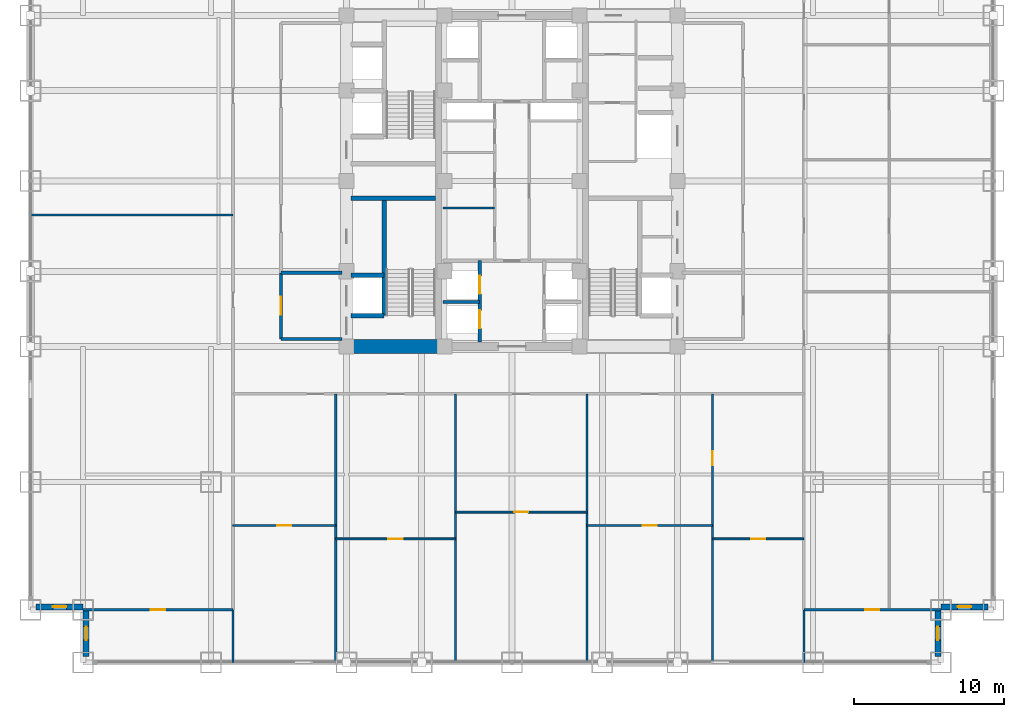
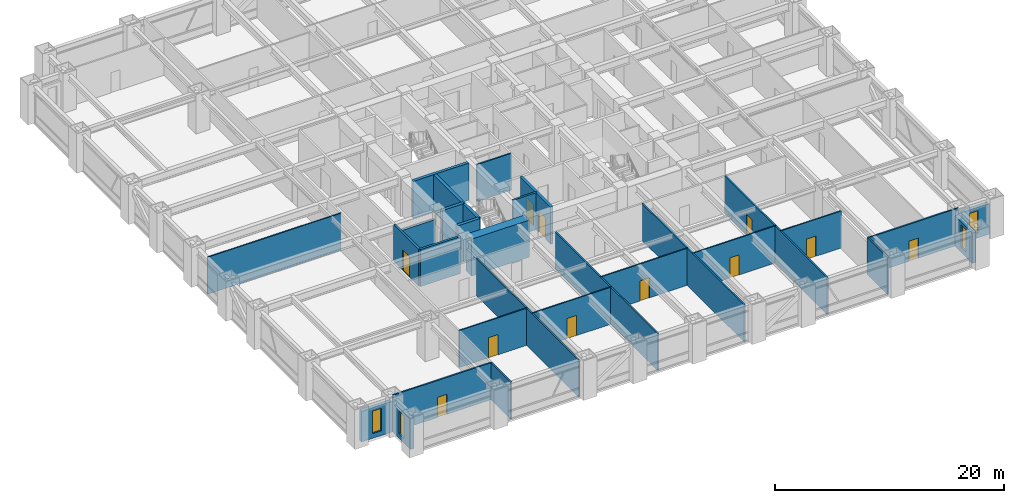
# One storey, part 23 of 28: 29 walls, 11 doors, 4 windows, 15 openings.
"""IFC4 building model written with IfcOpenShell, lengths in metres."""

from ifc_helpers import new_model, si_unit, direction, frame, frame_2d, origin, place, context, subcontext, project, spatial, rectangle, extrude, source, transform, mapped, material, layer, layer_set, type_object, element, fill, save


model = new_model("IFC4")

# Units and contexts
model_context = context("Model", 3, precision=1e-05, world=origin(), true_north=direction((0.0, 1.0)))
body_context = subcontext(model_context, "Body", "Model", "MODEL_VIEW")
ifc_project = project(units=[si_unit("LENGTHUNIT", "METRE"), si_unit("AREAUNIT", "SQUARE_METRE"), si_unit("VOLUMEUNIT", "CUBIC_METRE"), si_unit("PLANEANGLEUNIT", "RADIAN"), si_unit("MASSUNIT", "GRAM", prefix="KILO")], contexts=[model_context])

# Site, building, storey
site_placement = place(None, origin())
site = spatial("IfcSite", under=ifc_project, at=site_placement, CompositionType="ELEMENT")
building_placement = place(site_placement, origin())
building = spatial("IfcBuilding", under=site, at=building_placement, Name="Khorayat Bourse Tower", CompositionType="ELEMENT")
storey_placement = place(building_placement, frame((0.0, 0.0, 83.0)))
storey = spatial("IfcBuildingStorey", under=building, at=storey_placement, Name="L18", CompositionType="ELEMENT", Elevation=83.0)

# Walls
ifc_material_1 = material(Name="Concrete C72/90", Category="concrete")
ifc_layer_1 = layer(ifc_material_1, 0.89990234375)
ifc_layer_set_1 = layer_set([ifc_layer_1], Name="Concrete C72/90")
wall_type_1 = type_object("IfcWallType", Name="WAL-CORE-900", PredefinedType="SHEAR", material=ifc_layer_set_1)
shared_shape_1 = source(origin(), body_context, "Body", "SweptSolid", [
    extrude(rectangle(XDim=5.849853515625, YDim=0.89990234375, at=frame_2d((2.9248046875, 0.0))), origin(), (0.0, 0.0, 1.0), 3.93994140625),
])
wall_1_placement = place(storey_placement, frame((-10.699951171875, -11.0, 0.0), z_axis=(0.0, 0.0, 1.0), x_axis=(1.0, 0.0, 0.0)))
element("IfcWall", 1, at=wall_1_placement, inside=storey, type_object=wall_type_1, Name="L18 Core Shear Wall PIER-WS", PredefinedType="SHEAR", context=body_context, shape_type="MappedRepresentation", body=[
    mapped(shared_shape_1, transform((0.0, 0.0, 0.0), scale=1.0)),
])
ifc_material_2 = material(Name="Concrete C50/60", Category="concrete")
ifc_layer_2 = layer(ifc_material_2, 0.300048828125)
ifc_layer_set_2 = layer_set([ifc_layer_2], Name="Concrete C50/60")
wall_type_2 = type_object("IfcWallType", Name="WAL-SHAFT-300", PredefinedType="SHEAR", material=ifc_layer_set_2)
shared_shape_2 = source(origin(), body_context, "Body", "SweptSolid", [
    extrude(rectangle(XDim=5.599853515625, YDim=0.300048828125, at=frame_2d((2.7998046875, 0.0))), origin(), (0.0, 0.0, 1.0), 3.93994140625),
])
wall_2_placement = place(storey_placement, frame((-10.699951171875, -1.14990234375, 0.0), z_axis=(0.0, 0.0, 1.0), x_axis=(1.0, 0.0, 0.0)))
element("IfcWall", 2, at=wall_2_placement, inside=storey, type_object=wall_type_2, Name="L18 Core Shear Wall ST1-DIV", PredefinedType="SHEAR", context=body_context, shape_type="MappedRepresentation", body=[
    mapped(shared_shape_2, transform((0.0, 0.0, 0.0), scale=1.0)),
])

# Wall, opening, window
ifc_material_3 = material(Name="Precast concrete C45/55", Category="concrete")
ifc_layer_3 = layer(ifc_material_3, 0.3798828125)
ifc_layer_set_3 = layer_set([ifc_layer_3], Name="Precast concrete C45/55")
wall_type_3 = type_object("IfcWallType", Name="WAL-EXT-STONE-380", PredefinedType="STANDARD", material=ifc_layer_set_3)
shared_shape_3 = source(origin(), body_context, "Body", "SweptSolid", [
    extrude(rectangle(XDim=3.1201171875, YDim=0.3798828125, at=frame_2d((1.56005859375, 0.0))), origin(), (0.0, 0.0, 1.0), 3.2451171875),
])
wall_3_placement = place(storey_placement, frame((-28.5, -28.31005859375, 0.0), z_axis=(0.0, 0.0, 1.0), x_axis=(-1.0, 0.0, 0.0)))
wall_3 = element("IfcWall", 3, at=wall_3_placement, inside=storey, type_object=wall_type_3, Name="L18 Re-Entrant Notch Limestone Wall SW-H", PredefinedType="STANDARD", context=body_context, shape_type="MappedRepresentation", body=[
    mapped(shared_shape_3, transform((0.0, 0.0, 0.0), scale=1.0)),
])
shared_shape_4 = source(origin(), body_context, "Body", "SweptSolid", [
    extrude(rectangle(XDim=0.89990234375, YDim=2.39990234375, at=frame_2d((0.449951171875, 1.199951171875))), frame((0.0, 0.199951171875, 0.0), z_axis=(0.0, -1.0, 0.0), x_axis=(1.0, 0.0, 0.0)), (0.0, 0.0, 1.0), 0.39990234375),
])
opening_1_placement = place(wall_3_placement, frame((1.110107421875, 0.0, 0.5)))
opening_1 = element("IfcOpeningElement", 4, at=opening_1_placement, cuts=wall_3, Name="Opening WN-03", PredefinedType="OPENING", context=body_context, shape_type="MappedRepresentation", body=[
    mapped(shared_shape_4, transform((0.0, 0.0, 0.0), scale=1.0)),
])
ifc_material_4 = material(Name="Deep-reveal solar-control double glazing", Category="glass")
window_type = type_object("IfcWindowType", Name="WIN-SLOT-900x2400", PartitioningType="SINGLE_PANEL", PredefinedType="WINDOW", material=ifc_material_4)
shared_shape_5 = source(origin(), body_context, "Body", "SweptSolid", [
    extrude(rectangle(XDim=0.89990234375, YDim=2.39990234375, at=frame_2d((0.449951171875, 1.199951171875))), frame((0.0, 0.030029296875, 0.0), z_axis=(0.0, -1.0, 0.0), x_axis=(1.0, 0.0, 0.0)), (0.0, 0.0, 1.0), 0.06005859375),
])
window_1_placement = place(opening_1_placement, origin())
window_1 = element("IfcWindow", 5, at=window_1_placement, inside=storey, type_object=window_type, Name="L18 Facade Window 1", OverallHeight=2.39990234375, OverallWidth=0.89990234375, PartitioningType="SINGLE_PANEL", PredefinedType="WINDOW", context=body_context, shape_type="MappedRepresentation", body=[
    mapped(shared_shape_5, transform((0.0, 0.0, 0.0), scale=1.0)),
])
fill(opening_1, window_1)

wall_4_placement = place(storey_placement, frame((-28.31005859375, -31.6201171875, 0.0), z_axis=(0.0, 0.0, 1.0), x_axis=(0.0, 1.0, 0.0)))
wall_4 = element("IfcWall", 6, at=wall_4_placement, inside=storey, type_object=wall_type_3, Name="L18 Re-Entrant Notch Limestone Wall SW-V", PredefinedType="STANDARD", context=body_context, shape_type="MappedRepresentation", body=[
    mapped(shared_shape_3, transform((0.0, 0.0, 0.0), scale=1.0)),
])
opening_2_placement = place(wall_4_placement, frame((1.110107421875, 0.0, 0.5)))
opening_2 = element("IfcOpeningElement", 7, at=opening_2_placement, cuts=wall_4, Name="Opening WN-03", PredefinedType="OPENING", context=body_context, shape_type="MappedRepresentation", body=[
    mapped(shared_shape_4, transform((0.0, 0.0, 0.0), scale=1.0)),
])
window_2_placement = place(opening_2_placement, origin())
window_2 = element("IfcWindow", 8, at=window_2_placement, inside=storey, type_object=window_type, Name="L18 Facade Window 1", OverallHeight=2.39990234375, OverallWidth=0.89990234375, PartitioningType="SINGLE_PANEL", PredefinedType="WINDOW", context=body_context, shape_type="MappedRepresentation", body=[
    mapped(shared_shape_5, transform((0.0, 0.0, 0.0), scale=1.0)),
])
fill(opening_2, window_2)

wall_5_placement = place(storey_placement, frame((28.31005859375, -31.6201171875, 0.0), z_axis=(0.0, 0.0, 1.0), x_axis=(0.0, 1.0, 0.0)))
wall_5 = element("IfcWall", 9, at=wall_5_placement, inside=storey, type_object=wall_type_3, Name="L18 Re-Entrant Notch Limestone Wall SE-V", PredefinedType="STANDARD", context=body_context, shape_type="MappedRepresentation", body=[
    mapped(shared_shape_3, transform((0.0, 0.0, 0.0), scale=1.0)),
])
opening_3_placement = place(wall_5_placement, frame((1.110107421875, 0.0, 0.5)))
opening_3 = element("IfcOpeningElement", 10, at=opening_3_placement, cuts=wall_5, Name="Opening WN-03", PredefinedType="OPENING", context=body_context, shape_type="MappedRepresentation", body=[
    mapped(shared_shape_4, transform((0.0, 0.0, 0.0), scale=1.0)),
])
window_3_placement = place(opening_3_placement, origin())
window_3 = element("IfcWindow", 11, at=window_3_placement, inside=storey, type_object=window_type, Name="L18 Facade Window 1", OverallHeight=2.39990234375, OverallWidth=0.89990234375, PartitioningType="SINGLE_PANEL", PredefinedType="WINDOW", context=body_context, shape_type="MappedRepresentation", body=[
    mapped(shared_shape_5, transform((0.0, 0.0, 0.0), scale=1.0)),
])
fill(opening_3, window_3)

wall_6_placement = place(storey_placement, frame((28.5, -28.31005859375, 0.0), z_axis=(0.0, 0.0, 1.0), x_axis=(1.0, 0.0, 0.0)))
wall_6 = element("IfcWall", 12, at=wall_6_placement, inside=storey, type_object=wall_type_3, Name="L18 Re-Entrant Notch Limestone Wall SE-H", PredefinedType="STANDARD", context=body_context, shape_type="MappedRepresentation", body=[
    mapped(shared_shape_3, transform((0.0, 0.0, 0.0), scale=1.0)),
])
opening_4_placement = place(wall_6_placement, frame((1.110107421875, 0.0, 0.5)))
opening_4 = element("IfcOpeningElement", 13, at=opening_4_placement, cuts=wall_6, Name="Opening WN-03", PredefinedType="OPENING", context=body_context, shape_type="MappedRepresentation", body=[
    mapped(shared_shape_4, transform((0.0, 0.0, 0.0), scale=1.0)),
])
window_4_placement = place(opening_4_placement, origin())
window_4 = element("IfcWindow", 14, at=window_4_placement, inside=storey, type_object=window_type, Name="L18 Facade Window 1", OverallHeight=2.39990234375, OverallWidth=0.89990234375, PartitioningType="SINGLE_PANEL", PredefinedType="WINDOW", context=body_context, shape_type="MappedRepresentation", body=[
    mapped(shared_shape_5, transform((0.0, 0.0, 0.0), scale=1.0)),
])
fill(opening_4, window_4)

# Walls
shared_shape_6 = source(origin(), body_context, "Body", "SweptSolid", [
    extrude(rectangle(XDim=7.800048828125, YDim=0.300048828125, at=frame_2d((3.89990234375, 0.0))), origin(), (0.0, 0.0, 1.0), 3.93994140625),
])
wall_7_placement = place(storey_placement, frame((-8.5, -8.949951171875, 0.0), z_axis=(0.0, 0.0, 1.0), x_axis=(0.0, 1.0, 0.0)))
element("IfcWall", 15, at=wall_7_placement, inside=storey, type_object=wall_type_2, Name="L18 Partition WAL-L18-WPIER-SP", PredefinedType="SHEAR", context=body_context, shape_type="MappedRepresentation", body=[
    mapped(shared_shape_6, transform((0.0, 0.0, 0.0), scale=1.0)),
])
shared_shape_7 = source(origin(), body_context, "Body", "SweptSolid", [
    extrude(rectangle(XDim=2.199951171875, YDim=0.300048828125, at=frame_2d((1.10009765625, 0.0))), origin(), (0.0, 0.0, 1.0), 3.93994140625),
])
for number, where, z_axis, x_axis, name in (
    (16, (-10.699951171875, -8.949951171875, 0.0), (0.0, 0.0, 1.0), (1.0, 0.0, 0.0), "L18 Partition WAL-L18-WPIER-FF1S"),
    (17, (-10.699951171875, -6.25, 0.0), (0.0, 0.0, 1.0), (1.0, 0.0, 0.0), "L18 Partition WAL-L18-WPIER-FF1N"),
):
    element("IfcWall", number, at=place(storey_placement, frame(where, z_axis=z_axis, x_axis=x_axis)), inside=storey, type_object=wall_type_2, Name=name, PredefinedType="SHEAR", context=body_context, shape_type="MappedRepresentation", body=[
        mapped(shared_shape_7, transform((0.0, 0.0, 0.0), scale=1.0)),
    ])
ifc_material_5 = material(Name="Aerated concrete blockwork", Category="masonry")
ifc_layer_4 = layer(ifc_material_5, 0.219970703125)
ifc_layer_set_4 = layer_set([ifc_layer_4], Name="Aerated concrete blockwork")
wall_type_4 = type_object("IfcWallType", Name="WAL-PART-FF-220", PredefinedType="PARTITIONING", material=ifc_layer_set_4)
shared_shape_8 = source(origin(), body_context, "Body", "SweptSolid", [
    extrude(rectangle(XDim=4.050048828125, YDim=0.219970703125, at=frame_2d((2.02490234375, 0.0))), origin(), (0.0, 0.0, 1.0), 3.93994140625),
])
wall_8_placement = place(storey_placement, frame((-15.35009765625, -10.5, 0.0), z_axis=(0.0, 0.0, 1.0), x_axis=(1.0, 0.0, 0.0)))
element("IfcWall", 18, at=wall_8_placement, inside=storey, type_object=wall_type_4, Name="L18 Partition WAL-L18-FFLW-S", PredefinedType="PARTITIONING", context=body_context, shape_type="MappedRepresentation", body=[
    mapped(shared_shape_8, transform((0.0, 0.0, 0.0), scale=1.0)),
])
shared_shape_9 = source(origin(), body_context, "Body", "SweptSolid", [
    extrude(rectangle(XDim=4.050048828125, YDim=0.219970703125, at=frame_2d((2.02490234375, 0.0))), origin(), (0.0, 0.0, 1.0), 3.0849609375),
])
wall_9_placement = place(storey_placement, frame((-15.35009765625, -6.10009765625, 0.0), z_axis=(0.0, 0.0, 1.0), x_axis=(1.0, 0.0, 0.0)))
element("IfcWall", 19, at=wall_9_placement, inside=storey, type_object=wall_type_4, Name="L18 Partition WAL-L18-FFLW-N", PredefinedType="PARTITIONING", context=body_context, shape_type="MappedRepresentation", body=[
    mapped(shared_shape_9, transform((0.0, 0.0, 0.0), scale=1.0)),
])

# Wall, opening, door
shared_shape_10 = source(origin(), body_context, "Body", "SweptSolid", [
    extrude(rectangle(XDim=4.39990234375, YDim=0.219970703125, at=frame_2d((2.199951171875, 0.0))), origin(), (0.0, 0.0, 1.0), 3.93994140625),
])
wall_10_placement = place(storey_placement, frame((-15.35009765625, -10.5, 0.0), z_axis=(0.0, 0.0, 1.0), x_axis=(0.0, 1.0, 0.0)))
wall_10 = element("IfcWall", 20, at=wall_10_placement, inside=storey, type_object=wall_type_4, Name="L18 Partition WAL-L18-FFLW-W", PredefinedType="PARTITIONING", context=body_context, shape_type="MappedRepresentation", body=[
    mapped(shared_shape_10, transform((0.0, 0.0, 0.0), scale=1.0)),
])
shared_shape_11 = source(origin(), body_context, "Body", "SweptSolid", [
    extrude(rectangle(XDim=1.199951171875, YDim=2.199951171875, at=frame_2d((0.60009765625, 1.10009765625))), frame((0.0, 0.119873046875, 0.0), z_axis=(0.0, -1.0, 0.0), x_axis=(1.0, 0.0, 0.0)), (0.0, 0.0, 1.0), 0.239990234375),
])
opening_5_placement = place(wall_10_placement, frame((1.60009765625, 0.0, 0.0)))
opening_5 = element("IfcOpeningElement", 21, at=opening_5_placement, cuts=wall_10, Name="Opening DI-02", PredefinedType="OPENING", context=body_context, shape_type="MappedRepresentation", body=[
    mapped(shared_shape_11, transform((0.0, 0.0, 0.0), scale=1.0)),
])
ifc_material_6 = material(Name="Fire-rated steel double-seal leaf", Category="steel")
door_type_1 = type_object("IfcDoorType", Name="DR-INT-FFLOBBY-1200", OperationType="NOTDEFINED", PredefinedType="DOOR", material=ifc_material_6)
shared_shape_12 = source(origin(), body_context, "Body", "SweptSolid", [
    extrude(rectangle(XDim=1.199951171875, YDim=2.199951171875, at=frame_2d((0.60009765625, 1.10009765625))), frame((0.0, 0.02490234375, 0.0), z_axis=(0.0, -1.0, 0.0), x_axis=(1.0, 0.0, 0.0)), (0.0, 0.0, 1.0), 0.050048828125),
])
door_1_placement = place(opening_5_placement, origin())
door_1 = element("IfcDoor", 22, at=door_1_placement, inside=storey, type_object=door_type_1, Name="L18 West Firefighting Lobby Door", OperationType="SINGLE_SWING_LEFT", OverallHeight=2.199951171875, OverallWidth=1.199951171875, PredefinedType="DOOR", context=body_context, shape_type="MappedRepresentation", body=[
    mapped(shared_shape_12, transform((0.0, 0.0, 0.0), scale=1.0)),
])
fill(opening_5, door_1)

# Wall, openings, doors
shared_shape_13 = source(origin(), body_context, "Body", "SweptSolid", [
    extrude(rectangle(XDim=5.39990234375, YDim=0.25, at=frame_2d((2.699951171875, 0.0))), origin(), (0.0, 0.0, 1.0), 3.93994140625),
])
wall_11_placement = place(storey_placement, frame((-2.14990234375, -10.699951171875, 0.0), z_axis=(0.0, 0.0, 1.0), x_axis=(0.0, 1.0, 0.0)))
wall_11 = element("IfcWall", 23, at=wall_11_placement, inside=storey, type_object=wall_type_2, Name="L18 Partition WAL-L18-B1-W", PredefinedType="SHEAR", context=body_context, shape_type="MappedRepresentation", body=[
    mapped(shared_shape_13, transform((0.0, 0.0, 0.0), scale=1.0)),
])
shared_shape_14 = source(origin(), body_context, "Body", "SweptSolid", [
    extrude(rectangle(XDim=1.199951171875, YDim=2.300048828125, at=frame_2d((0.60009765625, 1.14990234375))), frame((0.0, 0.135009765625, 0.0), z_axis=(0.0, -1.0, 0.0), x_axis=(1.0, 0.0, 0.0)), (0.0, 0.0, 1.0), 0.27001953125),
])
opening_6_placement = place(wall_11_placement, frame((0.89990234375, 0.0, 0.0)))
opening_6 = element("IfcOpeningElement", 24, at=opening_6_placement, cuts=wall_11, Name="Opening LD-01", PredefinedType="OPENING", context=body_context, shape_type="MappedRepresentation", body=[
    mapped(shared_shape_14, transform((0.0, 0.0, 0.0), scale=1.0)),
])
opening_7_placement = place(wall_11_placement, frame((3.199951171875, 0.0, 0.0)))
opening_7 = element("IfcOpeningElement", 25, at=opening_7_placement, cuts=wall_11, Name="Opening LD-01", PredefinedType="OPENING", context=body_context, shape_type="MappedRepresentation", body=[
    mapped(shared_shape_14, transform((0.0, 0.0, 0.0), scale=1.0)),
])
ifc_material_7 = material(Name="Brushed bronze stainless-steel sliding door", Category="steel")
door_type_2 = type_object("IfcDoorType", Name="DR-LIFT-PASS-1200", OperationType="NOTDEFINED", PredefinedType="DOOR", material=ifc_material_7)
shared_shape_15 = source(origin(), body_context, "Body", "SweptSolid", [
    extrude(rectangle(XDim=1.199951171875, YDim=2.300048828125, at=frame_2d((0.60009765625, 1.14990234375))), frame((0.0, 0.02490234375, 0.0), z_axis=(0.0, -1.0, 0.0), x_axis=(1.0, 0.0, 0.0)), (0.0, 0.0, 1.0), 0.050048828125),
])
door_2_placement = place(opening_6_placement, origin())
door_2 = element("IfcDoor", 26, at=door_2_placement, inside=storey, type_object=door_type_2, Name="L18 Lift PL-L1 Sliding Landing Door", OperationType="SLIDING_TO_LEFT", OverallHeight=2.300048828125, OverallWidth=1.199951171875, PredefinedType="DOOR", context=body_context, shape_type="MappedRepresentation", body=[
    mapped(shared_shape_15, transform((0.0, 0.0, 0.0), scale=1.0)),
])
fill(opening_6, door_2)
door_3_placement = place(opening_7_placement, origin())
door_3 = element("IfcDoor", 27, at=door_3_placement, inside=storey, type_object=door_type_2, Name="L18 Lift PL-L3 Sliding Landing Door", OperationType="SLIDING_TO_LEFT", OverallHeight=2.300048828125, OverallWidth=1.199951171875, PredefinedType="DOOR", context=body_context, shape_type="MappedRepresentation", body=[
    mapped(shared_shape_15, transform((0.0, 0.0, 0.0), scale=1.0)),
])
fill(opening_7, door_3)

# Walls
shared_shape_16 = source(origin(), body_context, "Body", "SweptSolid", [
    extrude(rectangle(XDim=2.4501953125, YDim=0.199951171875, at=frame_2d((1.22509765625, 0.0))), origin(), (0.0, 0.0, 1.0), 3.93994140625),
])
wall_12_placement = place(storey_placement, frame((-4.60009765625, -8.050048828125, 0.0), z_axis=(0.0, 0.0, 1.0), x_axis=(1.0, 0.0, 0.0)))
element("IfcWall", 28, at=wall_12_placement, inside=storey, type_object=wall_type_2, Name="L18 Partition WAL-L18-B1-MW", PredefinedType="SHEAR", context=body_context, shape_type="MappedRepresentation", body=[
    mapped(shared_shape_16, transform((0.0, 0.0, 0.0), scale=1.0)),
])
ifc_material_8 = material(Name="Moisture-resistant masonry partition", Category="masonry")
ifc_layer_5 = layer(ifc_material_8, 0.139892578125)
ifc_layer_set_5 = layer_set([ifc_layer_5], Name="Moisture-resistant masonry partition")
wall_type_5 = type_object("IfcWallType", Name="WAL-PART-WET-140", PredefinedType="PARTITIONING", material=ifc_layer_set_5)
shared_shape_17 = source(origin(), body_context, "Body", "SweptSolid", [
    extrude(rectangle(XDim=3.4501953125, YDim=0.139892578125, at=frame_2d((1.72509765625, 0.0))), origin(), (0.0, 0.0, 1.0), 3.93994140625),
])
wall_13_placement = place(storey_placement, frame((-4.60009765625, -1.800048828125, 0.0), z_axis=(0.0, 0.0, 1.0), x_axis=(1.0, 0.0, 0.0)))
element("IfcWall", 29, at=wall_13_placement, inside=storey, type_object=wall_type_5, Name="L18 Partition WAL-L18-CMW-D1", PredefinedType="PARTITIONING", context=body_context, shape_type="MappedRepresentation", body=[
    mapped(shared_shape_17, transform((0.0, 0.0, 0.0), scale=1.0)),
])
ifc_material_9 = material(Name="Gypsum plasterboard twin-frame partition")
ifc_layer_6 = layer(ifc_material_9, 0.14990234375)
ifc_layer_set_6 = layer_set([ifc_layer_6], Name="Gypsum plasterboard twin-frame partition")
wall_type_6 = type_object("IfcWallType", Name="WAL-PART-SUITE-150", PredefinedType="PARTITIONING", material=ifc_layer_set_6)
shared_shape_18 = source(origin(), body_context, "Body", "SweptSolid", [
    extrude(rectangle(XDim=3.5, YDim=0.14990234375, at=frame_2d((1.75, 0.0))), origin(), (0.0, 0.0, 1.0), 3.93994140625),
])
for number, where, z_axis, x_axis, name in (
    (30, (-18.550048828125, -32.0, 0.0), (0.0, 0.0, 1.0), (0.0, 1.0, 0.0), "L18 Partition WAL-L18-SCW-END"),
    (31, (19.39990234375, -32.0, 0.0), (0.0, 0.0, 1.0), (0.0, 1.0, 0.0), "L18 Partition WAL-L18-SCE-END"),
):
    element("IfcWall", number, at=place(storey_placement, frame(where, z_axis=z_axis, x_axis=x_axis)), inside=storey, type_object=wall_type_6, Name=name, PredefinedType="PARTITIONING", context=body_context, shape_type="MappedRepresentation", body=[
        mapped(shared_shape_18, transform((0.0, 0.0, 0.0), scale=1.0)),
    ])
ifc_material_10 = material(Name="Gypsum plasterboard partition")
ifc_layer_7 = layer(ifc_material_10, 0.125)
ifc_layer_set_7 = layer_set([ifc_layer_7], Name="Gypsum plasterboard partition")
wall_type_7 = type_object("IfcWallType", Name="WAL-PART-ROOM-125", PredefinedType="PARTITIONING", material=ifc_layer_set_7)
shared_shape_19 = source(origin(), body_context, "Body", "SweptSolid", [
    extrude(rectangle(XDim=13.449951171875, YDim=0.125, at=frame_2d((6.72509765625, 0.0))), origin(), (0.0, 0.0, 1.0), 3.93994140625),
])
wall_14_placement = place(storey_placement, frame((-32.0, -2.263916015625, 0.0), z_axis=(0.0, 0.0, 1.0), x_axis=(1.0, 0.0, 0.0)))
element("IfcWall", 32, at=wall_14_placement, inside=storey, type_object=wall_type_7, Name="L18 Partition WAL-L18-WDV-1", PredefinedType="PARTITIONING", context=body_context, shape_type="MappedRepresentation", body=[
    mapped(shared_shape_19, transform((0.0, 0.0, 0.0), scale=1.0)),
])

# Wall, opening, door
shared_shape_20 = source(origin(), body_context, "Body", "SweptSolid", [
    extrude(rectangle(XDim=9.949951171875, YDim=0.14990234375, at=frame_2d((4.97509765625, 0.0))), origin(), (0.0, 0.0, 1.0), 3.93994140625),
])
wall_15_placement = place(storey_placement, frame((-28.5, -28.5, 0.0), z_axis=(0.0, 0.0, 1.0), x_axis=(1.0, 0.0, 0.0)))
wall_15 = element("IfcWall", 33, at=wall_15_placement, inside=storey, type_object=wall_type_6, Name="L18 Partition WAL-L18-CSW", PredefinedType="PARTITIONING", context=body_context, shape_type="MappedRepresentation", body=[
    mapped(shared_shape_20, transform((0.0, 0.0, 0.0), scale=1.0)),
])
shared_shape_21 = source(origin(), body_context, "Body", "SweptSolid", [
    extrude(rectangle(XDim=0.949951171875, YDim=2.14990234375, at=frame_2d((0.47509765625, 1.074951171875))), frame((0.0, 0.0849609375, 0.0), z_axis=(0.0, -1.0, 0.0), x_axis=(1.0, 0.0, 0.0)), (0.0, 0.0, 1.0), 0.169921875),
])
opening_8_placement = place(wall_15_placement, frame((4.5, 0.0, 0.0)))
opening_8 = element("IfcOpeningElement", 34, at=opening_8_placement, cuts=wall_15, Name="Opening DI-05", PredefinedType="OPENING", context=body_context, shape_type="MappedRepresentation", body=[
    mapped(shared_shape_21, transform((0.0, 0.0, 0.0), scale=1.0)),
])
ifc_material_11 = material(Name="Acoustic oak veneer office door")
door_type_3 = type_object("IfcDoorType", Name="DR-INT-OFFICE-950", OperationType="NOTDEFINED", PredefinedType="DOOR", material=ifc_material_11)
shared_shape_22 = source(origin(), body_context, "Body", "SweptSolid", [
    extrude(rectangle(XDim=0.949951171875, YDim=2.14990234375, at=frame_2d((0.47509765625, 1.074951171875))), frame((0.0, 0.02490234375, 0.0), z_axis=(0.0, -1.0, 0.0), x_axis=(1.0, 0.0, 0.0)), (0.0, 0.0, 1.0), 0.050048828125),
])
door_4_placement = place(opening_8_placement, origin())
door_4 = element("IfcDoor", 35, at=door_4_placement, inside=storey, type_object=door_type_3, Name="L18 South-West Corner Office Door", OperationType="SINGLE_SWING_LEFT", OverallHeight=2.14990234375, OverallWidth=0.949951171875, PredefinedType="DOOR", context=body_context, shape_type="MappedRepresentation", body=[
    mapped(shared_shape_22, transform((0.0, 0.0, 0.0), scale=1.0)),
])
fill(opening_8, door_4)

# Walls
shared_shape_23 = source(origin(), body_context, "Body", "SweptSolid", [
    extrude(rectangle(XDim=17.85009765625, YDim=0.14990234375, at=frame_2d((8.925048828125, 0.0))), origin(), (0.0, 0.0, 1.0), 3.93994140625),
])
for number, where, z_axis, x_axis, name in (
    (36, (-11.718994140625, -32.0, 0.0), (0.0, 0.0, 1.0), (0.0, 1.0, 0.0), "L18 Partition WAL-L18-SDV-1"),
    (37, (-3.74951171875, -32.0, 0.0), (0.0, 0.0, 1.0), (0.0, 1.0, 0.0), "L18 Partition WAL-L18-SDV-2"),
    (38, (4.97900390625, -32.0, 0.0), (0.0, 0.0, 1.0), (0.0, 1.0, 0.0), "L18 Partition WAL-L18-SDV-3"),
):
    element("IfcWall", number, at=place(storey_placement, frame(where, z_axis=z_axis, x_axis=x_axis)), inside=storey, type_object=wall_type_6, Name=name, PredefinedType="PARTITIONING", context=body_context, shape_type="MappedRepresentation", body=[
        mapped(shared_shape_23, transform((0.0, 0.0, 0.0), scale=1.0)),
    ])

# Wall, opening, door
wall_16_placement = place(storey_placement, frame((13.327880859375, -32.0, 0.0), z_axis=(0.0, 0.0, 1.0), x_axis=(0.0, 1.0, 0.0)))
wall_16 = element("IfcWall", 39, at=wall_16_placement, inside=storey, type_object=wall_type_6, Name="L18 Partition WAL-L18-SDV-4", PredefinedType="PARTITIONING", context=body_context, shape_type="MappedRepresentation", body=[
    mapped(shared_shape_23, transform((0.0, 0.0, 0.0), scale=1.0)),
])
opening_9_placement = place(wall_16_placement, frame((13.091064453125, 0.0, 0.0)))
opening_9 = element("IfcOpeningElement", 40, at=opening_9_placement, cuts=wall_16, Name="Opening DI-05", PredefinedType="OPENING", context=body_context, shape_type="MappedRepresentation", body=[
    mapped(shared_shape_21, transform((0.0, 0.0, 0.0), scale=1.0)),
])
door_5_placement = place(opening_9_placement, origin())
door_5 = element("IfcDoor", 41, at=door_5_placement, inside=storey, type_object=door_type_3, Name="L18 S Suite Link 4", OperationType="SINGLE_SWING_LEFT", OverallHeight=2.14990234375, OverallWidth=0.949951171875, PredefinedType="DOOR", context=body_context, shape_type="MappedRepresentation", body=[
    mapped(shared_shape_22, transform((0.0, 0.0, 0.0), scale=1.0)),
])
fill(opening_9, door_5)

shared_shape_24 = source(origin(), body_context, "Body", "SweptSolid", [
    extrude(rectangle(XDim=9.10009765625, YDim=0.14990234375, at=frame_2d((4.550048828125, 0.0))), origin(), (0.0, 0.0, 1.0), 3.93994140625),
])
wall_17_placement = place(storey_placement, frame((19.39990234375, -28.5, 0.0), z_axis=(0.0, 0.0, 1.0), x_axis=(1.0, 0.0, 0.0)))
wall_17 = element("IfcWall", 42, at=wall_17_placement, inside=storey, type_object=wall_type_6, Name="L18 Partition WAL-L18-CSE", PredefinedType="PARTITIONING", context=body_context, shape_type="MappedRepresentation", body=[
    mapped(shared_shape_24, transform((0.0, 0.0, 0.0), scale=1.0)),
])
opening_10_placement = place(wall_17_placement, frame((4.074951171875, 0.0, 0.0)))
opening_10 = element("IfcOpeningElement", 43, at=opening_10_placement, cuts=wall_17, Name="Opening DI-05", PredefinedType="OPENING", context=body_context, shape_type="MappedRepresentation", body=[
    mapped(shared_shape_21, transform((0.0, 0.0, 0.0), scale=1.0)),
])
door_6_placement = place(opening_10_placement, origin())
door_6 = element("IfcDoor", 44, at=door_6_placement, inside=storey, type_object=door_type_3, Name="L18 South-East Corner Briefing Room Door", OperationType="SINGLE_SWING_LEFT", OverallHeight=2.14990234375, OverallWidth=0.949951171875, PredefinedType="DOOR", context=body_context, shape_type="MappedRepresentation", body=[
    mapped(shared_shape_22, transform((0.0, 0.0, 0.0), scale=1.0)),
])
fill(opening_10, door_6)

shared_shape_25 = source(origin(), body_context, "Body", "SweptSolid", [
    extrude(rectangle(XDim=6.8310546875, YDim=0.125, at=frame_2d((3.41552734375, 0.0))), origin(), (0.0, 0.0, 1.0), 3.93994140625),
])
wall_18_placement = place(storey_placement, frame((-18.550048828125, -22.896484375, 0.0), z_axis=(0.0, 0.0, 1.0), x_axis=(1.0, 0.0, 0.0)))
wall_18 = element("IfcWall", 45, at=wall_18_placement, inside=storey, type_object=wall_type_7, Name="L18 Partition WAL-L18-SDP-1", PredefinedType="PARTITIONING", context=body_context, shape_type="MappedRepresentation", body=[
    mapped(shared_shape_25, transform((0.0, 0.0, 0.0), scale=1.0)),
])
shared_shape_26 = source(origin(), body_context, "Body", "SweptSolid", [
    extrude(rectangle(XDim=0.949951171875, YDim=2.14990234375, at=frame_2d((0.47509765625, 1.074951171875))), frame((0.0, 0.072509765625, 0.0), z_axis=(0.0, -1.0, 0.0), x_axis=(1.0, 0.0, 0.0)), (0.0, 0.0, 1.0), 0.14501953125),
])
opening_11_placement = place(wall_18_placement, frame((2.9404296875, 0.0, 0.0)))
opening_11 = element("IfcOpeningElement", 46, at=opening_11_placement, cuts=wall_18, Name="Opening DI-05", PredefinedType="OPENING", context=body_context, shape_type="MappedRepresentation", body=[
    mapped(shared_shape_26, transform((0.0, 0.0, 0.0), scale=1.0)),
])
door_7_placement = place(opening_11_placement, origin())
door_7 = element("IfcDoor", 47, at=door_7_placement, inside=storey, type_object=door_type_3, Name="L18 Members Dining Room S1B Door", OperationType="SINGLE_SWING_RIGHT", OverallHeight=2.14990234375, OverallWidth=0.949951171875, PredefinedType="DOOR", context=body_context, shape_type="MappedRepresentation", body=[
    mapped(shared_shape_22, transform((0.0, 0.0, 0.0), scale=1.0)),
])
fill(opening_11, door_7)

shared_shape_27 = source(origin(), body_context, "Body", "SweptSolid", [
    extrude(rectangle(XDim=7.969482421875, YDim=0.125, at=frame_2d((3.98486328125, 0.0))), origin(), (0.0, 0.0, 1.0), 3.93994140625),
])
wall_19_placement = place(storey_placement, frame((-11.718994140625, -23.7890625, 0.0), z_axis=(0.0, 0.0, 1.0), x_axis=(1.0, 0.0, 0.0)))
wall_19 = element("IfcWall", 48, at=wall_19_placement, inside=storey, type_object=wall_type_7, Name="L18 Partition WAL-L18-SDP-2", PredefinedType="PARTITIONING", context=body_context, shape_type="MappedRepresentation", body=[
    mapped(shared_shape_27, transform((0.0, 0.0, 0.0), scale=1.0)),
])
opening_12_placement = place(wall_19_placement, frame((3.509765625, 0.0, 0.0)))
opening_12 = element("IfcOpeningElement", 49, at=opening_12_placement, cuts=wall_19, Name="Opening DI-05", PredefinedType="OPENING", context=body_context, shape_type="MappedRepresentation", body=[
    mapped(shared_shape_26, transform((0.0, 0.0, 0.0), scale=1.0)),
])
door_8_placement = place(opening_12_placement, origin())
door_8 = element("IfcDoor", 50, at=door_8_placement, inside=storey, type_object=door_type_3, Name="L18 Executive Wellness Fitness Gym S2B Door", OperationType="SINGLE_SWING_LEFT", OverallHeight=2.14990234375, OverallWidth=0.949951171875, PredefinedType="DOOR", context=body_context, shape_type="MappedRepresentation", body=[
    mapped(shared_shape_22, transform((0.0, 0.0, 0.0), scale=1.0)),
])
fill(opening_12, door_8)

shared_shape_28 = source(origin(), body_context, "Body", "SweptSolid", [
    extrude(rectangle(XDim=8.728515625, YDim=0.125, at=frame_2d((4.3642578125, 0.0))), origin(), (0.0, 0.0, 1.0), 3.93994140625),
])
wall_20_placement = place(storey_placement, frame((-3.74951171875, -22.00390625, 0.0), z_axis=(0.0, 0.0, 1.0), x_axis=(1.0, 0.0, 0.0)))
wall_20 = element("IfcWall", 51, at=wall_20_placement, inside=storey, type_object=wall_type_7, Name="L18 Partition WAL-L18-SDP-3", PredefinedType="PARTITIONING", context=body_context, shape_type="MappedRepresentation", body=[
    mapped(shared_shape_28, transform((0.0, 0.0, 0.0), scale=1.0)),
])
opening_13_placement = place(wall_20_placement, frame((3.889404296875, 0.0, 0.0)))
opening_13 = element("IfcOpeningElement", 52, at=opening_13_placement, cuts=wall_20, Name="Opening DI-05", PredefinedType="OPENING", context=body_context, shape_type="MappedRepresentation", body=[
    mapped(shared_shape_26, transform((0.0, 0.0, 0.0), scale=1.0)),
])
door_9_placement = place(opening_13_placement, origin())
door_9 = element("IfcDoor", 53, at=door_9_placement, inside=storey, type_object=door_type_3, Name="L18 Brokerage Member Kiosk S3B Door", OperationType="SINGLE_SWING_RIGHT", OverallHeight=2.14990234375, OverallWidth=0.949951171875, PredefinedType="DOOR", context=body_context, shape_type="MappedRepresentation", body=[
    mapped(shared_shape_22, transform((0.0, 0.0, 0.0), scale=1.0)),
])
fill(opening_13, door_9)

shared_shape_29 = source(origin(), body_context, "Body", "SweptSolid", [
    extrude(rectangle(XDim=8.348876953125, YDim=0.125, at=frame_2d((4.17431640625, 0.0))), origin(), (0.0, 0.0, 1.0), 3.93994140625),
])
wall_21_placement = place(storey_placement, frame((4.97900390625, -22.896484375, 0.0), z_axis=(0.0, 0.0, 1.0), x_axis=(1.0, 0.0, 0.0)))
wall_21 = element("IfcWall", 54, at=wall_21_placement, inside=storey, type_object=wall_type_7, Name="L18 Partition WAL-L18-SDP-4", PredefinedType="PARTITIONING", context=body_context, shape_type="MappedRepresentation", body=[
    mapped(shared_shape_29, transform((0.0, 0.0, 0.0), scale=1.0)),
])
opening_14_placement = place(wall_21_placement, frame((3.699462890625, 0.0, 0.0)))
opening_14 = element("IfcOpeningElement", 55, at=opening_14_placement, cuts=wall_21, Name="Opening DI-05", PredefinedType="OPENING", context=body_context, shape_type="MappedRepresentation", body=[
    mapped(shared_shape_26, transform((0.0, 0.0, 0.0), scale=1.0)),
])
door_10_placement = place(opening_14_placement, origin())
door_10 = element("IfcDoor", 56, at=door_10_placement, inside=storey, type_object=door_type_3, Name="L18 Staff Tea Pantry S4B Door", OperationType="SINGLE_SWING_LEFT", OverallHeight=2.14990234375, OverallWidth=0.949951171875, PredefinedType="DOOR", context=body_context, shape_type="MappedRepresentation", body=[
    mapped(shared_shape_22, transform((0.0, 0.0, 0.0), scale=1.0)),
])
fill(opening_14, door_10)

shared_shape_30 = source(origin(), body_context, "Body", "SweptSolid", [
    extrude(rectangle(XDim=6.072021484375, YDim=0.125, at=frame_2d((3.0361328125, 0.0))), origin(), (0.0, 0.0, 1.0), 3.93994140625),
])
wall_22_placement = place(storey_placement, frame((13.327880859375, -23.7890625, 0.0), z_axis=(0.0, 0.0, 1.0), x_axis=(1.0, 0.0, 0.0)))
wall_22 = element("IfcWall", 57, at=wall_22_placement, inside=storey, type_object=wall_type_7, Name="L18 Partition WAL-L18-SDP-5", PredefinedType="PARTITIONING", context=body_context, shape_type="MappedRepresentation", body=[
    mapped(shared_shape_30, transform((0.0, 0.0, 0.0), scale=1.0)),
])
opening_15_placement = place(wall_22_placement, frame((2.56103515625, 0.0, 0.0)))
opening_15 = element("IfcOpeningElement", 58, at=opening_15_placement, cuts=wall_22, Name="Opening DI-05", PredefinedType="OPENING", context=body_context, shape_type="MappedRepresentation", body=[
    mapped(shared_shape_26, transform((0.0, 0.0, 0.0), scale=1.0)),
])
door_11_placement = place(opening_15_placement, origin())
door_11 = element("IfcDoor", 59, at=door_11_placement, inside=storey, type_object=door_type_3, Name="L18 Market Committee Conference Room S5B Door", OperationType="SINGLE_SWING_RIGHT", OverallHeight=2.14990234375, OverallWidth=0.949951171875, PredefinedType="DOOR", context=body_context, shape_type="MappedRepresentation", body=[
    mapped(shared_shape_22, transform((0.0, 0.0, 0.0), scale=1.0)),
])
fill(opening_15, door_11)

save(model, "model.ifc")
